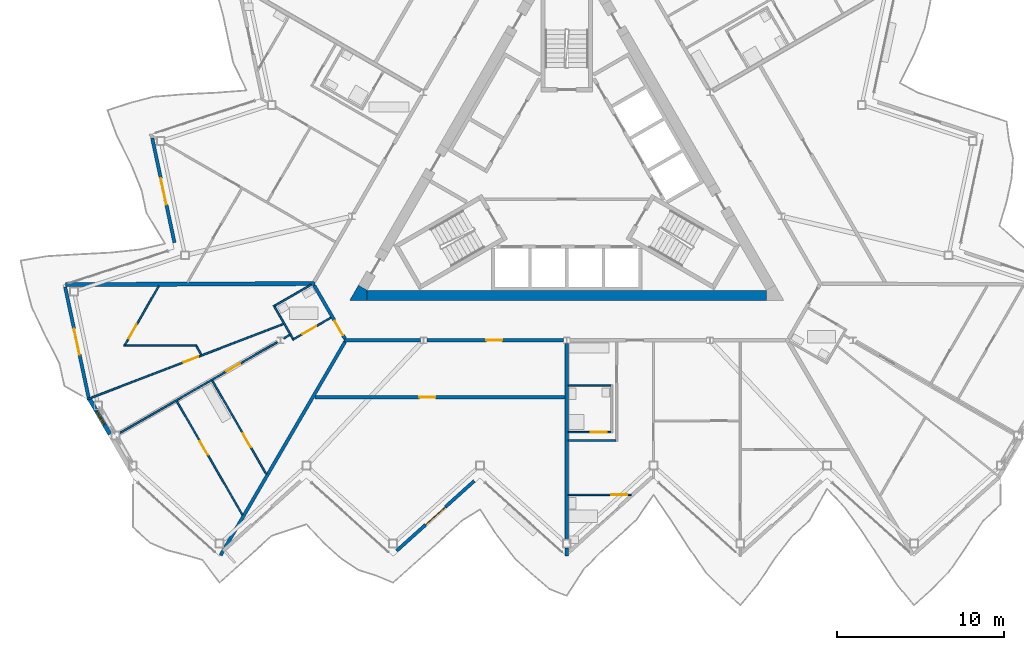
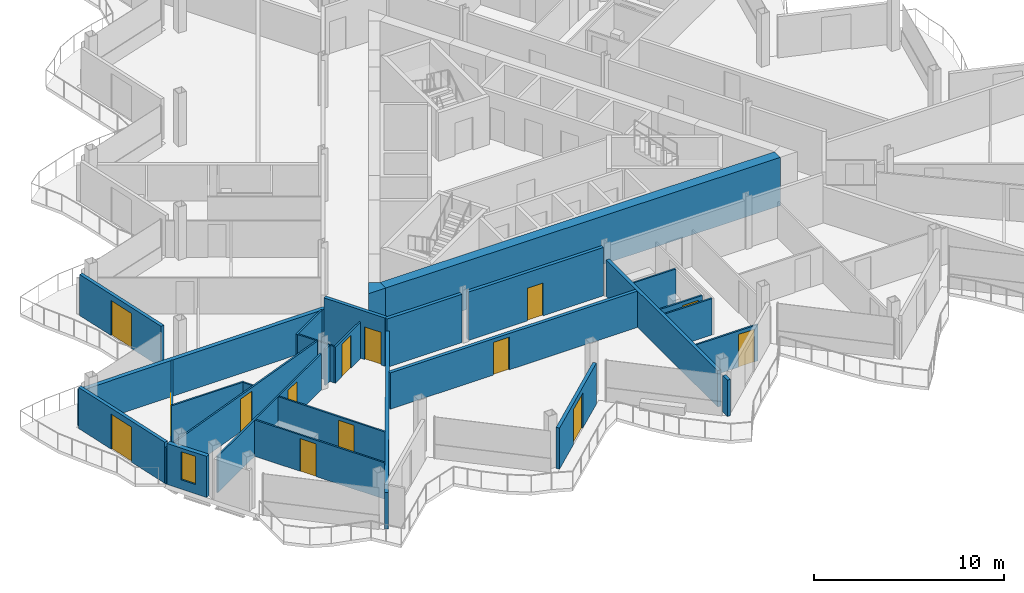
# One storey, part 12 of 26: 29 walls, 14 doors, 1 window, 15 openings.
"""IFC4 building model written with IfcOpenShell, lengths in metres."""

import ifcopenshell
import ifcopenshell.guid

model = None  # the IFC model being written
_history = None  # IfcOwnerHistory: only IFC2X3 demands one
_inside = {}  # id of a spatial element -> (the spatial element, [elements in it])
_under = {}  # id of a project, library or spatial element -> (it, [spatial elements below it])
_declared = {}  # id of a project -> (the project, [libraries it declares])
_typed = {}  # id of a type object -> (the type object, [elements of that type])
_made_of = {}  # id of a material, layer set ... -> (it, [elements and type objects made of it])


def new_model(schema):
    """Start an empty IFC model of exactly this schema.

    Asked for "IFC4X3", IfcOpenShell would pick the latest addendum, in which some entities
    have other attributes; the version numbers below select the first issue.
    IFC2X3 requires an IfcOwnerHistory on every rooted entity: one is made here for all.
    """
    global model, _history
    if schema == "IFC4X3":
        model = ifcopenshell.file(schema_version=(4, 3, 0, 0))
    else:
        model = ifcopenshell.file(schema=schema)
    _inside.clear()
    _under.clear()
    _declared.clear()
    _typed.clear()
    _made_of.clear()
    _history = None
    if model.schema == "IFC2X3":
        org = make("IfcOrganization", Name="unknown")
        user = make(
            "IfcPersonAndOrganization",
            ThePerson=make("IfcPerson", FamilyName="unknown"),
            TheOrganization=org,
        )
        app = make(
            "IfcApplication",
            ApplicationDeveloper=org,
            Version="unknown",
            ApplicationFullName="unknown",
            ApplicationIdentifier="unknown",
        )
        _history = make(
            "IfcOwnerHistory",
            OwningUser=user,
            OwningApplication=app,
            ChangeAction="ADDED",
            CreationDate=0,
        )
    return model


def make(cls, **values):
    """One entity of the class cls with the attributes given. An attribute that is None is left unset."""
    return model.create_entity(
        cls, **{name: value for name, value in values.items() if value is not None}
    )


def rooted(cls, **values):
    """An entity with a GlobalId (a new one), such as an element, a storey or a relation."""
    return make(cls, GlobalId=ifcopenshell.guid.new(), OwnerHistory=_history, **values)


def si_unit(unit_type, name, prefix=None):
    """IfcSIUnit, for example si_unit("LENGTHUNIT", "METRE", prefix="MILLI")."""
    return make("IfcSIUnit", UnitType=unit_type, Prefix=prefix, Name=name)


def assignment(units):
    """IfcUnitAssignment: the units of a project."""
    return None if units is None else make("IfcUnitAssignment", Units=units)


def point(xyz):
    """IfcCartesianPoint."""
    return None if xyz is None else make("IfcCartesianPoint", Coordinates=xyz)


def direction(xyz):
    """IfcDirection."""
    return None if xyz is None else make("IfcDirection", DirectionRatios=xyz)


def frame(location, z_axis=None, x_axis=None):
    """IfcAxis2Placement3D, a coordinate frame: its origin and axes. An axis left out is left unset."""
    return make(
        "IfcAxis2Placement3D",
        Location=point(location),
        Axis=direction(z_axis),
        RefDirection=direction(x_axis),
    )


def frame_2d(location, x_axis=None):
    """IfcAxis2Placement2D, a coordinate frame in the plane: its origin and x axis."""
    return make(
        "IfcAxis2Placement2D", Location=point(location), RefDirection=direction(x_axis)
    )


def origin():
    """The frame at (0, 0, 0) with its axes left unset."""
    return frame((0.0, 0.0, 0.0))


def place(relative_to, where):
    """IfcLocalPlacement: puts the frame where relative to a parent placement (None: the world)."""
    return make(
        "IfcLocalPlacement", PlacementRelTo=relative_to, RelativePlacement=where
    )


def context(
    kind, dimensions, precision=None, world=None, true_north=None, identifier=None
):
    """IfcGeometricRepresentationContext, for example the 3D "Model" context."""
    return make(
        "IfcGeometricRepresentationContext",
        ContextIdentifier=identifier,
        ContextType=kind,
        CoordinateSpaceDimension=dimensions,
        Precision=precision,
        WorldCoordinateSystem=world,
        TrueNorth=true_north,
    )


def subcontext(parent, identifier, kind, view, scale=None):
    """IfcGeometricRepresentationSubContext, for example "Body" below "Model"."""
    return make(
        "IfcGeometricRepresentationSubContext",
        ContextIdentifier=identifier,
        ContextType=kind,
        ParentContext=parent,
        TargetScale=scale,
        TargetView=view,
    )


def project(units=None, contexts=None):
    """IfcProject with its units and contexts."""
    return rooted(
        "IfcProject",
        Name="project",
        RepresentationContexts=contexts,
        UnitsInContext=assignment(units),
    )


def spatial(cls, under=None, at=None, **own):
    """A site, building, storey or space (cls), placed at a placement, below another one or the project."""
    s = rooted(cls, ObjectPlacement=at, **own)
    if under is not None:
        _under.setdefault(under.id(), (under, []))[1].append(s)
    return s


def polyline(points):
    """IfcPolyline through the points."""
    return make("IfcPolyline", Points=[point(p) for p in points])


def profile(cls, at=None, kind="AREA", **sizes):
    """A parametric profile (cls). Its sizes go by their IFC names, for example OverallWidth=200.0."""
    return make(cls, ProfileType=kind, Position=at, **sizes)


def rectangle(**sizes):
    """IfcRectangleProfileDef."""
    return profile("IfcRectangleProfileDef", **sizes)


def outline(outer, holes=None, kind="AREA"):
    """IfcArbitraryClosedProfileDef: a profile drawn as a closed curve; with holes, ...WithVoids."""
    if holes is None:
        return make("IfcArbitraryClosedProfileDef", ProfileType=kind, OuterCurve=outer)
    return make(
        "IfcArbitraryProfileDefWithVoids",
        ProfileType=kind,
        OuterCurve=outer,
        InnerCurves=holes,
    )


def extrude(swept, where, along, depth):
    """IfcExtrudedAreaSolid: the profile swept, set in the frame where, extruded along a direction by depth."""
    return make(
        "IfcExtrudedAreaSolid",
        SweptArea=swept,
        Position=where,
        ExtrudedDirection=direction(along),
        Depth=depth,
    )


def shape(context_of_items, identifier, shape_type, items):
    """IfcShapeRepresentation: the items that make up one representation, for example the "Body"."""
    return make(
        "IfcShapeRepresentation",
        ContextOfItems=context_of_items,
        RepresentationIdentifier=identifier,
        RepresentationType=shape_type,
        Items=items,
    )


def material(Name=None, Category=None):
    """IfcMaterial."""
    return make("IfcMaterial", Name=Name, Category=Category)


def layer(
    of_material, thickness, ventilated=None, Name=None, Category=None, Priority=None
):
    """IfcMaterialLayer: one layer of a wall or slab, of a material (None: an air gap)."""
    return make(
        "IfcMaterialLayer",
        Material=of_material,
        LayerThickness=thickness,
        IsVentilated=ventilated,
        Name=Name,
        Category=Category,
        Priority=Priority,
    )


def layer_set(layers, Name=None):
    """IfcMaterialLayerSet."""
    return make("IfcMaterialLayerSet", MaterialLayers=layers, LayerSetName=Name)


def made_of(thing, what):
    """Note that an element or type object is made of a material, layer set ...; save() writes the relation."""
    if what is not None:
        _made_of.setdefault(what.id(), (what, []))[1].append(thing)
    return thing


def type_object(cls, material=None, **own):
    """A type object (cls), such as IfcWallType, which elements share."""
    return made_of(rooted(cls, **own), material)


def element(
    cls,
    number,
    at=None,
    inside=None,
    cuts=None,
    type_object=None,
    material=None,
    context=None,
    identifier="Body",
    shape_type=None,
    held_by="IfcProductDefinitionShape",
    body=None,
    shapes=None,
    **own,
):
    """One element of the class cls, such as IfcWall. Its Tag is "e" and its number.

    at: its placement. inside: the storey or other place that contains it. cuts: it is an
    opening in that element (IfcRelVoidsElement). A single representation is given by context,
    identifier, shape_type and body (its items); several are given by shapes. held_by: the class
    of the entity that holds the representations. save() writes the other relations.
    """
    e = rooted(cls, Tag="e%d" % number, ObjectPlacement=at, **own)
    if body is not None:
        shapes = [shape(context, identifier, shape_type, body)]
    if shapes is not None:
        e.Representation = make(held_by, Representations=shapes)
    if inside is not None:
        _inside.setdefault(inside.id(), (inside, []))[1].append(e)
    if cuts is not None:
        rooted(
            "IfcRelVoidsElement", RelatingBuildingElement=cuts, RelatedOpeningElement=e
        )
    if type_object is not None:
        _typed.setdefault(type_object.id(), (type_object, []))[1].append(e)
    return made_of(e, material)


def fill(opening, filler):
    """IfcRelFillsElement: the door or window that sits in an opening."""
    return rooted(
        "IfcRelFillsElement",
        RelatingOpeningElement=opening,
        RelatedBuildingElement=filler,
    )


def aggregate(whole, parts):
    """IfcRelAggregates: a whole, such as a stair, and the parts it consists of."""
    return rooted("IfcRelAggregates", RelatingObject=whole, RelatedObjects=parts)


def save(model, path):
    """Write the relations noted so far, then the file.

    IfcRelAggregates (storeys below a building ...), IfcRelContainedInSpatialStructure (elements
    in a storey), IfcRelDefinesByType, IfcRelAssociatesMaterial and IfcRelDeclares: one each for
    every whole, place, type object, material and project.
    """
    for whole, parts in _under.values():
        aggregate(whole, parts)
    for where, things in _inside.values():
        rooted(
            "IfcRelContainedInSpatialStructure",
            RelatedElements=things,
            RelatingStructure=where,
        )
    for kind, things in _typed.values():
        rooted("IfcRelDefinesByType", RelatedObjects=things, RelatingType=kind)
    for what, things in _made_of.values():
        rooted("IfcRelAssociatesMaterial", RelatedObjects=things, RelatingMaterial=what)
    for by, libraries in _declared.values():
        rooted("IfcRelDeclares", RelatingContext=by, RelatedDefinitions=libraries)
    model.write(path)


model = new_model("IFC4")

# Units and contexts
model_context = context("Model", 3, precision=1e-05, world=origin(), true_north=direction((0.0, 1.0)))
body_context = subcontext(model_context, "Body", "Model", "MODEL_VIEW")
ifc_project = project(units=[si_unit("LENGTHUNIT", "METRE"), si_unit("AREAUNIT", "SQUARE_METRE"), si_unit("VOLUMEUNIT", "CUBIC_METRE"), si_unit("PLANEANGLEUNIT", "RADIAN"), si_unit("MASSUNIT", "GRAM", prefix="KILO")], contexts=[model_context])

# Site, building, storey
site_placement = place(None, origin())
site = spatial("IfcSite", under=ifc_project, at=site_placement, CompositionType="ELEMENT")
building_placement = place(site_placement, origin())
building = spatial("IfcBuilding", under=site, at=building_placement, Name="Cormorant Prow Tower", CompositionType="ELEMENT")
storey_placement = place(building_placement, frame((0.0, 0.0, 367.800048828125)))
storey = spatial("IfcBuildingStorey", under=building, at=storey_placement, Name="L82", CompositionType="ELEMENT", Elevation=367.800048828125)

# Walls
ifc_material_1 = material(Name="Concrete 8000 psi", Category="concrete")
ifc_layer_1 = layer(ifc_material_1, 0.60009765625)
ifc_layer_set_1 = layer_set([ifc_layer_1], Name="Concrete 8000 psi")
wall_type_1 = type_object("IfcWallType", Name="Core shear wall 600", PredefinedType="SHEAR", material=ifc_layer_set_1)
wall_1_placement = place(storey_placement, frame((-11.960693359375, -7.20556640625, 0.0), z_axis=(0.0, 0.0, 1.0), x_axis=(1.0, 0.0, 0.0)))
element("IfcWall", 1, at=wall_1_placement, inside=storey, type_object=wall_type_1, Name="Core wall", PredefinedType="SHEAR", context=body_context, shape_type="SweptSolid", body=[
    extrude(rectangle(XDim=23.92138671875, YDim=0.60009765625, at=frame_2d((11.960693359375, 0.0))), origin(), (0.0, 0.0, 1.0), 3.099853515625),
])
wall_2_placement = place(storey_placement, origin())
element("IfcWall", 2, at=wall_2_placement, inside=storey, type_object=wall_type_1, Name="Core wall corner", PredefinedType="SHEAR", context=body_context, shape_type="SweptSolid", body=[
    extrude(outline(polyline([(-12.48046875, -6.605712890625), (-11.960693359375, -6.905517578125), (-11.960693359375, -7.505615234375), (-13.0, -7.505615234375), (-12.48046875, -6.605712890625)])), origin(), (0.0, 0.0, 1.0), 3.099853515625),
])

# Wall, opening, door
ifc_material_2 = material(Name="Gypsum board corridor wall")
ifc_layer_2 = layer(ifc_material_2, 0.199951171875)
ifc_layer_set_2 = layer_set([ifc_layer_2], Name="Gypsum board corridor wall")
wall_type_2 = type_object("IfcWallType", Name="Corridor wall 200", PredefinedType="PARTITIONING", material=ifc_layer_set_2)
wall_3_placement = place(storey_placement, frame((-8.381591796875, -9.905517578125, 0.0), z_axis=(0.0, 0.0, 1.0), x_axis=(1.0, 0.0, 0.0)))
wall_3 = element("IfcWall", 3, at=wall_3_placement, inside=storey, type_object=wall_type_2, Name="Corridor wall", PredefinedType="PARTITIONING", context=body_context, shape_type="SweptSolid", body=[
    extrude(rectangle(XDim=8.1845703125, YDim=0.199951171875, at=frame_2d((4.09228515625, 0.0))), origin(), (0.0, 0.0, 1.0), 3.099853515625),
])
opening_1_placement = place(wall_3_placement, frame((3.56689453125, 0.0, 0.0)))
opening_1 = element("IfcOpeningElement", 4, at=opening_1_placement, cuts=wall_3, Name="Opening L82-F01", PredefinedType="OPENING", context=body_context, shape_type="SweptSolid", body=[
    extrude(rectangle(XDim=0.949951171875, YDim=2.10009765625, at=frame_2d((0.47509765625, 1.050048828125))), frame((0.0, 0.10986328125, 0.0), z_axis=(0.0, -1.0, 0.0), x_axis=(1.0, 0.0, 0.0)), (0.0, 0.0, 1.0), 0.219970703125),
])
ifc_material_3 = material(Name="Timber door leaf", Category="wood")
door_type_1 = type_object("IfcDoorType", Name="Store door 950x2100", OperationType="NOTDEFINED", PredefinedType="DOOR", material=ifc_material_3)
door_1_placement = place(opening_1_placement, origin())
door_1 = element("IfcDoor", 5, at=door_1_placement, inside=storey, type_object=door_type_1, Name="Refuse room door", OperationType="SINGLE_SWING_LEFT", OverallHeight=2.10009765625, OverallWidth=0.949951171875, PredefinedType="DOOR", context=body_context, shape_type="SweptSolid", body=[
    extrude(rectangle(XDim=0.949951171875, YDim=2.10009765625, at=frame_2d((0.47509765625, 1.050048828125))), frame((0.0, 0.02490234375, 0.0), z_axis=(0.0, -1.0, 0.0), x_axis=(1.0, 0.0, 0.0)), (0.0, 0.0, 1.0), 0.050048828125),
])
fill(opening_1, door_1)

# Wall
wall_4_placement = place(storey_placement, frame((-13.330810546875, -9.905517578125, 0.0), z_axis=(0.0, 0.0, 1.0), x_axis=(1.0, 0.0, 0.0)))
element("IfcWall", 6, at=wall_4_placement, inside=storey, type_object=wall_type_2, Name="Corridor wall", PredefinedType="PARTITIONING", context=body_context, shape_type="SweptSolid", body=[
    extrude(rectangle(XDim=4.555419921875, YDim=0.199951171875, at=frame_2d((2.27783203125, 0.0))), origin(), (0.0, 0.0, 1.0), 3.099853515625),
])

# Wall, opening, door
wall_5_placement = place(storey_placement, frame((-15.13134765625, -6.61376953125, 0.0), z_axis=(0.0, 0.0, 1.0), x_axis=(0.499948957823, -0.866054870994, 0.0)))
wall_5 = element("IfcWall", 7, at=wall_5_placement, inside=storey, type_object=wall_type_2, Name="Corridor wall", PredefinedType="PARTITIONING", context=body_context, shape_type="SweptSolid", body=[
    extrude(rectangle(XDim=3.701171875, YDim=0.199951171875, at=frame_2d((1.8505859375, 0.0))), origin(), (0.0, 0.0, 1.0), 3.099853515625),
])
opening_2_placement = place(wall_5_placement, frame((2.450927734375, 0.0, 0.0)))
opening_2 = element("IfcOpeningElement", 8, at=opening_2_placement, cuts=wall_5, Name="Opening L82-F45", PredefinedType="OPENING", context=body_context, shape_type="SweptSolid", body=[
    extrude(rectangle(XDim=1.0, YDim=2.10009765625, at=frame_2d((0.5, 1.050048828125))), frame((0.0, 0.10986328125, 0.0), z_axis=(0.0, -1.0, 0.0), x_axis=(1.0, 0.0, 0.0)), (0.0, 0.0, 1.0), 0.219970703125),
])
ifc_material_4 = material(Name="Timber door leaf", Category="wood")
door_type_2 = type_object("IfcDoorType", Name="Flat or room entrance door 1000x2100", OperationType="NOTDEFINED", PredefinedType="DOOR", material=ifc_material_4)
door_2_placement = place(opening_2_placement, origin())
door_2 = element("IfcDoor", 9, at=door_2_placement, inside=storey, type_object=door_type_2, Name="Living room door", OperationType="SINGLE_SWING_RIGHT", OverallHeight=2.10009765625, OverallWidth=1.0, PredefinedType="DOOR", context=body_context, shape_type="SweptSolid", body=[
    extrude(rectangle(XDim=1.0, YDim=2.10009765625, at=frame_2d((0.5, 1.050048828125))), frame((0.0, 0.02490234375, 0.0), z_axis=(0.0, -1.0, 0.0), x_axis=(1.0, 0.0, 0.0)), (0.0, 0.0, 1.0), 0.050048828125),
])
fill(opening_2, door_2)

ifc_material_5 = material(Name="Gypsum board demising wall")
ifc_layer_3 = layer(ifc_material_5, 0.199951171875)
ifc_layer_set_3 = layer_set([ifc_layer_3], Name="Gypsum board demising wall")
wall_type_3 = type_object("IfcWallType", Name="Demising wall 200", PredefinedType="PARTITIONING", material=ifc_layer_set_3)
wall_6_placement = place(storey_placement, frame((-15.093994140625, -13.3056640625, 0.0), z_axis=(0.0, 0.0, 1.0), x_axis=(1.0, 0.0, 0.0)))
wall_6 = element("IfcWall", 10, at=wall_6_placement, inside=storey, type_object=wall_type_3, Name="Demising wall", PredefinedType="PARTITIONING", context=body_context, shape_type="SweptSolid", body=[
    extrude(rectangle(XDim=14.993896484375, YDim=0.199951171875, at=frame_2d((7.4970703125, 0.0))), origin(), (0.0, 0.0, 1.0), 2.330078125),
])
opening_3_placement = place(wall_6_placement, frame((6.26953125, 0.0, 0.0)))
opening_3 = element("IfcOpeningElement", 11, at=opening_3_placement, cuts=wall_6, Name="Opening L82-F02", PredefinedType="OPENING", context=body_context, shape_type="SweptSolid", body=[
    extrude(rectangle(XDim=0.949951171875, YDim=2.10009765625, at=frame_2d((0.47509765625, 1.050048828125))), frame((0.0, 0.10986328125, 0.0), z_axis=(0.0, -1.0, 0.0), x_axis=(1.0, 0.0, 0.0)), (0.0, 0.0, 1.0), 0.219970703125),
])
door_3_placement = place(opening_3_placement, origin())
door_3 = element("IfcDoor", 12, at=door_3_placement, inside=storey, type_object=door_type_1, Name="Bicycle store door", OperationType="SINGLE_SWING_LEFT", OverallHeight=2.10009765625, OverallWidth=0.949951171875, PredefinedType="DOOR", context=body_context, shape_type="SweptSolid", body=[
    extrude(rectangle(XDim=0.949951171875, YDim=2.10009765625, at=frame_2d((0.47509765625, 1.050048828125))), frame((0.0, 0.02490234375, 0.0), z_axis=(0.0, -1.0, 0.0), x_axis=(1.0, 0.0, 0.0)), (0.0, 0.0, 1.0), 0.050048828125),
])
fill(opening_3, door_3)

# Walls
wall_7_placement = place(storey_placement, frame((-20.738525390625, -22.7841796875, 0.0), z_axis=(0.0, 0.0, 1.0), x_axis=(0.50362599185, 0.863921790635, 0.0)))
element("IfcWall", 13, at=wall_7_placement, inside=storey, type_object=wall_type_3, Name="Demising wall", PredefinedType="PARTITIONING", context=body_context, shape_type="SweptSolid", body=[
    extrude(rectangle(XDim=14.80712890625, YDim=0.199951171875, at=frame_2d((7.403564453125, 0.0))), origin(), (0.0, 0.0, 1.0), 2.330078125),
])
wall_8_placement = place(storey_placement, frame((0.0, -21.827880859375, 0.0), z_axis=(0.0, 0.0, 1.0), x_axis=(0.0, 1.0, 0.0)))
element("IfcWall", 14, at=wall_8_placement, inside=storey, type_object=wall_type_3, Name="Demising wall", PredefinedType="PARTITIONING", context=body_context, shape_type="SweptSolid", body=[
    extrude(rectangle(XDim=11.725341796875, YDim=0.199951171875, at=frame_2d((5.86279296875, 0.0))), origin(), (0.0, 0.0, 1.0), 2.330078125),
])
wall_9_placement = place(storey_placement, frame((0.0, -22.83935546875, 0.0), z_axis=(0.0, 0.0, 1.0), x_axis=(0.0, 1.0, 0.0)))
element("IfcWall", 15, at=wall_9_placement, inside=storey, type_object=wall_type_3, Name="Demising wall", PredefinedType="PARTITIONING", context=body_context, shape_type="SweptSolid", body=[
    extrude(rectangle(XDim=0.491455078125, YDim=0.199951171875, at=frame_2d((0.24560546875, 0.0))), origin(), (0.0, 0.0, 1.0), 2.330078125),
])

# Wall, opening, door
ifc_material_6 = material(Name="Gypsum board partition")
ifc_layer_4 = layer(ifc_material_6, 0.10009765625)
ifc_layer_set_4 = layer_set([ifc_layer_4], Name="Gypsum board partition")
wall_type_4 = type_object("IfcWallType", Name="Internal partition 100", PredefinedType="PARTITIONING", material=ifc_layer_set_4)
wall_10_placement = place(storey_placement, frame((-28.724609375, -13.43798828125, 0.0), z_axis=(0.0, 0.0, 1.0), x_axis=(0.933580312145, 0.358368247444, 0.0)))
wall_10 = element("IfcWall", 16, at=wall_10_placement, inside=storey, type_object=wall_type_4, Name="Internal partition", PredefinedType="PARTITIONING", context=body_context, shape_type="SweptSolid", body=[
    extrude(rectangle(XDim=12.589599609375, YDim=0.10009765625, at=frame_2d((6.294921875, 0.0))), origin(), (0.0, 0.0, 1.0), 2.330078125),
])
opening_4_placement = place(wall_10_placement, frame((6.171142578125, 0.0, 0.0)))
opening_4 = element("IfcOpeningElement", 17, at=opening_4_placement, cuts=wall_10, Name="Opening L82-F50", PredefinedType="OPENING", context=body_context, shape_type="SweptSolid", body=[
    extrude(rectangle(XDim=0.949951171875, YDim=2.10009765625, at=frame_2d((0.47509765625, 1.050048828125))), frame((0.0, 0.06005859375, 0.0), z_axis=(0.0, -1.0, 0.0), x_axis=(1.0, 0.0, 0.0)), (0.0, 0.0, 1.0), 0.1201171875),
])
ifc_material_7 = material(Name="Timber door leaf", Category="wood")
door_type_3 = type_object("IfcDoorType", Name="Bathroom door 950x2100", OperationType="NOTDEFINED", PredefinedType="DOOR", material=ifc_material_7)
door_4_placement = place(opening_4_placement, origin())
door_4 = element("IfcDoor", 18, at=door_4_placement, inside=storey, type_object=door_type_3, Name="Bedroom door", OperationType="SINGLE_SWING_RIGHT", OverallHeight=2.10009765625, OverallWidth=0.949951171875, PredefinedType="DOOR", context=body_context, shape_type="SweptSolid", body=[
    extrude(rectangle(XDim=0.949951171875, YDim=2.10009765625, at=frame_2d((0.47509765625, 1.050048828125))), frame((0.0, 0.02490234375, 0.0), z_axis=(0.0, -1.0, 0.0), x_axis=(1.0, 0.0, 0.0)), (0.0, 0.0, 1.0), 0.050048828125),
])
fill(opening_4, door_4)

wall_11_placement = place(storey_placement, frame((-26.77685546875, -15.459716796875, 0.0), z_axis=(0.0, 0.0, 1.0), x_axis=(0.866019680922, 0.500009912158, 0.0)))
wall_11 = element("IfcWall", 19, at=wall_11_placement, inside=storey, type_object=wall_type_4, Name="Internal partition", PredefinedType="PARTITIONING", context=body_context, shape_type="SweptSolid", body=[
    extrude(rectangle(XDim=10.880615234375, YDim=0.10009765625, at=frame_2d((5.4404296875, 0.0))), origin(), (0.0, 0.0, 1.0), 2.330078125),
])
opening_5_placement = place(wall_11_placement, frame((7.373291015625, 0.0, 0.0)))
opening_5 = element("IfcOpeningElement", 20, at=opening_5_placement, cuts=wall_11, Name="Opening L82-F49", PredefinedType="OPENING", context=body_context, shape_type="SweptSolid", body=[
    extrude(rectangle(XDim=0.949951171875, YDim=2.10009765625, at=frame_2d((0.47509765625, 1.050048828125))), frame((0.0, 0.06005859375, 0.0), z_axis=(0.0, -1.0, 0.0), x_axis=(1.0, 0.0, 0.0)), (0.0, 0.0, 1.0), 0.1201171875),
])
door_5_placement = place(opening_5_placement, origin())
door_5 = element("IfcDoor", 21, at=door_5_placement, inside=storey, type_object=door_type_3, Name="Living room door", OperationType="SINGLE_SWING_LEFT", OverallHeight=2.10009765625, OverallWidth=0.949951171875, PredefinedType="DOOR", context=body_context, shape_type="SweptSolid", body=[
    extrude(rectangle(XDim=0.949951171875, YDim=2.10009765625, at=frame_2d((0.47509765625, 1.050048828125))), frame((0.0, 0.02490234375, 0.0), z_axis=(0.0, -1.0, 0.0), x_axis=(1.0, 0.0, 0.0)), (0.0, 0.0, 1.0), 0.050048828125),
])
fill(opening_5, door_5)

wall_12_placement = place(storey_placement, frame((-23.365234375, -13.547607421875, 0.0), z_axis=(0.0, 0.0, 1.0), x_axis=(0.500011483804, -0.866018773506, 0.0)))
wall_12 = element("IfcWall", 22, at=wall_12_placement, inside=storey, type_object=wall_type_4, Name="Internal partition", PredefinedType="PARTITIONING", context=body_context, shape_type="SweptSolid", body=[
    extrude(rectangle(XDim=7.872314453125, YDim=0.10009765625, at=frame_2d((3.93603515625, 0.0))), origin(), (0.0, 0.0, 1.0), 2.330078125),
])
opening_6_placement = place(wall_12_placement, frame((2.7587890625, 0.0, 0.0)))
opening_6 = element("IfcOpeningElement", 23, at=opening_6_placement, cuts=wall_12, Name="Opening L82-F48", PredefinedType="OPENING", context=body_context, shape_type="SweptSolid", body=[
    extrude(rectangle(XDim=0.949951171875, YDim=2.10009765625, at=frame_2d((0.47509765625, 1.050048828125))), frame((0.0, 0.06005859375, 0.0), z_axis=(0.0, -1.0, 0.0), x_axis=(1.0, 0.0, 0.0)), (0.0, 0.0, 1.0), 0.1201171875),
])
door_6_placement = place(opening_6_placement, origin())
door_6 = element("IfcDoor", 24, at=door_6_placement, inside=storey, type_object=door_type_3, Name="Kitchen door", OperationType="SINGLE_SWING_LEFT", OverallHeight=2.10009765625, OverallWidth=0.949951171875, PredefinedType="DOOR", context=body_context, shape_type="SweptSolid", body=[
    extrude(rectangle(XDim=0.949951171875, YDim=2.10009765625, at=frame_2d((0.47509765625, 1.050048828125))), frame((0.0, 0.02490234375, 0.0), z_axis=(0.0, -1.0, 0.0), x_axis=(1.0, 0.0, 0.0)), (0.0, 0.0, 1.0), 0.050048828125),
])
fill(opening_6, door_6)

wall_13_placement = place(storey_placement, frame((-21.2353515625, -12.318115234375, 0.0), z_axis=(0.0, 0.0, 1.0), x_axis=(0.500008973052, -0.866020223129, 0.0)))
wall_13 = element("IfcWall", 25, at=wall_13_placement, inside=storey, type_object=wall_type_4, Name="Internal partition", PredefinedType="PARTITIONING", context=body_context, shape_type="SweptSolid", body=[
    extrude(rectangle(XDim=6.46630859375, YDim=0.10009765625, at=frame_2d((3.233154296875, 0.0))), origin(), (0.0, 0.0, 1.0), 2.330078125),
])
opening_7_placement = place(wall_13_placement, frame((3.6611328125, 0.0, 0.0)))
opening_7 = element("IfcOpeningElement", 26, at=opening_7_placement, cuts=wall_13, Name="Opening L82-F47", PredefinedType="OPENING", context=body_context, shape_type="SweptSolid", body=[
    extrude(rectangle(XDim=0.949951171875, YDim=2.10009765625, at=frame_2d((0.47509765625, 1.050048828125))), frame((0.0, 0.06005859375, 0.0), z_axis=(0.0, -1.0, 0.0), x_axis=(1.0, 0.0, 0.0)), (0.0, 0.0, 1.0), 0.1201171875),
])
door_7_placement = place(opening_7_placement, origin())
door_7 = element("IfcDoor", 27, at=door_7_placement, inside=storey, type_object=door_type_3, Name="Living room door", OperationType="SINGLE_SWING_RIGHT", OverallHeight=2.10009765625, OverallWidth=0.949951171875, PredefinedType="DOOR", context=body_context, shape_type="SweptSolid", body=[
    extrude(rectangle(XDim=0.949951171875, YDim=2.10009765625, at=frame_2d((0.47509765625, 1.050048828125))), frame((0.0, 0.02490234375, 0.0), z_axis=(0.0, -1.0, 0.0), x_axis=(1.0, 0.0, 0.0)), (0.0, 0.0, 1.0), 0.050048828125),
])
fill(opening_7, door_7)

# Wall
wall_14_placement = place(storey_placement, frame((-26.548583984375, -10.2216796875, 0.0), z_axis=(0.0, 0.0, 1.0), x_axis=(1.0, 0.0, 0.0)))
element("IfcWall", 28, at=wall_14_placement, inside=storey, type_object=wall_type_4, Name="Internal partition", PredefinedType="PARTITIONING", context=body_context, shape_type="SweptSolid", body=[
    extrude(rectangle(XDim=4.390869140625, YDim=0.10009765625, at=frame_2d((2.1953125, 0.0))), origin(), (0.0, 0.0, 1.0), 2.330078125),
])

# Wall, opening, door
wall_15_placement = place(storey_placement, frame((-26.4736328125, -10.17822265625, 0.0), z_axis=(0.0, 0.0, 1.0), x_axis=(0.499995835917, 0.866027807905, 0.0)))
wall_15 = element("IfcWall", 29, at=wall_15_placement, inside=storey, type_object=wall_type_4, Name="Internal partition", PredefinedType="PARTITIONING", context=body_context, shape_type="SweptSolid", body=[
    extrude(rectangle(XDim=4.0712890625, YDim=0.10009765625, at=frame_2d((2.03564453125, 0.0))), origin(), (0.0, 0.0, 1.0), 2.330078125),
])
opening_8_placement = place(wall_15_placement, frame((0.45166015625, 0.0, 0.0)))
opening_8 = element("IfcOpeningElement", 30, at=opening_8_placement, cuts=wall_15, Name="Opening L82-F51", PredefinedType="OPENING", context=body_context, shape_type="SweptSolid", body=[
    extrude(rectangle(XDim=0.949951171875, YDim=2.10009765625, at=frame_2d((0.47509765625, 1.050048828125))), frame((0.0, 0.06005859375, 0.0), z_axis=(0.0, -1.0, 0.0), x_axis=(1.0, 0.0, 0.0)), (0.0, 0.0, 1.0), 0.1201171875),
])
door_8_placement = place(opening_8_placement, origin())
door_8 = element("IfcDoor", 31, at=door_8_placement, inside=storey, type_object=door_type_3, Name="Bedroom door", OperationType="SINGLE_SWING_LEFT", OverallHeight=2.10009765625, OverallWidth=0.949951171875, PredefinedType="DOOR", context=body_context, shape_type="SweptSolid", body=[
    extrude(rectangle(XDim=0.949951171875, YDim=2.10009765625, at=frame_2d((0.47509765625, 1.050048828125))), frame((0.0, 0.02490234375, 0.0), z_axis=(0.0, -1.0, 0.0), x_axis=(1.0, 0.0, 0.0)), (0.0, 0.0, 1.0), 0.050048828125),
])
fill(opening_8, door_8)

wall_16_placement = place(storey_placement, frame((0.10009765625, -19.164306640625, 0.0), z_axis=(0.0, 0.0, 1.0), x_axis=(1.0, 0.0, 0.0)))
wall_16 = element("IfcWall", 32, at=wall_16_placement, inside=storey, type_object=wall_type_4, Name="Internal partition", PredefinedType="PARTITIONING", context=body_context, shape_type="SweptSolid", body=[
    extrude(rectangle(XDim=3.75146484375, YDim=0.10009765625, at=frame_2d((1.875732421875, 0.0))), origin(), (0.0, 0.0, 1.0), 2.330078125),
])
opening_9_placement = place(wall_16_placement, frame((2.5791015625, 0.0, 0.0)))
opening_9 = element("IfcOpeningElement", 33, at=opening_9_placement, cuts=wall_16, Name="Opening L82-F04", PredefinedType="OPENING", context=body_context, shape_type="SweptSolid", body=[
    extrude(rectangle(XDim=0.949951171875, YDim=2.10009765625, at=frame_2d((0.47509765625, 1.050048828125))), frame((0.0, 0.06005859375, 0.0), z_axis=(0.0, -1.0, 0.0), x_axis=(1.0, 0.0, 0.0)), (0.0, 0.0, 1.0), 0.1201171875),
])
door_9_placement = place(opening_9_placement, origin())
door_9 = element("IfcDoor", 34, at=door_9_placement, inside=storey, type_object=door_type_3, Name="Living room door", OperationType="SINGLE_SWING_RIGHT", OverallHeight=2.10009765625, OverallWidth=0.949951171875, PredefinedType="DOOR", context=body_context, shape_type="SweptSolid", body=[
    extrude(rectangle(XDim=0.949951171875, YDim=2.10009765625, at=frame_2d((0.47509765625, 1.050048828125))), frame((0.0, 0.02490234375, 0.0), z_axis=(0.0, -1.0, 0.0), x_axis=(1.0, 0.0, 0.0)), (0.0, 0.0, 1.0), 0.050048828125),
])
fill(opening_9, door_9)

# Walls
wall_17_placement = place(storey_placement, frame((0.10009765625, -15.905517578125, 0.0), z_axis=(0.0, 0.0, 1.0), x_axis=(1.0, 0.0, 0.0)))
element("IfcWall", 35, at=wall_17_placement, inside=storey, type_object=wall_type_4, Name="Internal partition", PredefinedType="PARTITIONING", context=body_context, shape_type="SweptSolid", body=[
    extrude(rectangle(XDim=2.849853515625, YDim=0.10009765625, at=frame_2d((1.4248046875, 0.0))), origin(), (0.0, 0.0, 1.0), 2.330078125),
])
wall_18_placement = place(storey_placement, frame((0.10009765625, -12.605712890625, 0.0), z_axis=(0.0, 0.0, 1.0), x_axis=(1.0, 0.0, 0.0)))
element("IfcWall", 36, at=wall_18_placement, inside=storey, type_object=wall_type_4, Name="Internal partition", PredefinedType="PARTITIONING", context=body_context, shape_type="SweptSolid", body=[
    extrude(rectangle(XDim=2.5498046875, YDim=0.10009765625, at=frame_2d((1.27490234375, 0.0))), origin(), (0.0, 0.0, 1.0), 2.330078125),
])

# Wall, opening, door
wall_19_placement = place(storey_placement, frame((0.10009765625, -15.405517578125, 0.0), z_axis=(0.0, 0.0, 1.0), x_axis=(1.0, 0.0, 0.0)))
wall_19 = element("IfcWall", 37, at=wall_19_placement, inside=storey, type_object=wall_type_4, Name="Internal partition", PredefinedType="PARTITIONING", context=body_context, shape_type="SweptSolid", body=[
    extrude(rectangle(XDim=2.5498046875, YDim=0.10009765625, at=frame_2d((1.27490234375, 0.0))), origin(), (0.0, 0.0, 1.0), 2.330078125),
])
opening_10_placement = place(wall_19_placement, frame((1.35009765625, 0.0, 0.0)))
opening_10 = element("IfcOpeningElement", 38, at=opening_10_placement, cuts=wall_19, Name="Opening L82-F10", PredefinedType="OPENING", context=body_context, shape_type="SweptSolid", body=[
    extrude(rectangle(XDim=0.949951171875, YDim=2.10009765625, at=frame_2d((0.47509765625, 1.050048828125))), frame((0.0, 0.06005859375, 0.0), z_axis=(0.0, -1.0, 0.0), x_axis=(1.0, 0.0, 0.0)), (0.0, 0.0, 1.0), 0.1201171875),
])
door_10_placement = place(opening_10_placement, origin())
door_10 = element("IfcDoor", 39, at=door_10_placement, inside=storey, type_object=door_type_3, Name="Kitchen door", OperationType="SINGLE_SWING_RIGHT", OverallHeight=2.10009765625, OverallWidth=0.949951171875, PredefinedType="DOOR", context=body_context, shape_type="SweptSolid", body=[
    extrude(rectangle(XDim=0.949951171875, YDim=2.10009765625, at=frame_2d((0.47509765625, 1.050048828125))), frame((0.0, 0.02490234375, 0.0), z_axis=(0.0, -1.0, 0.0), x_axis=(1.0, 0.0, 0.0)), (0.0, 0.0, 1.0), 0.050048828125),
])
fill(opening_10, door_10)

# Wall
wall_20_placement = place(storey_placement, frame((-17.575439453125, -7.880615234375, 0.0), z_axis=(0.0, 0.0, 1.0), x_axis=(0.866013657776, 0.500020344131, 0.0)))
element("IfcWall", 40, at=wall_20_placement, inside=storey, type_object=wall_type_4, Name="Internal partition", PredefinedType="PARTITIONING", context=body_context, shape_type="SweptSolid", body=[
    extrude(rectangle(XDim=2.625, YDim=0.10009765625, at=frame_2d((1.3125, 0.0))), origin(), (0.0, 0.0, 1.0), 2.330078125),
])

# Wall, opening, door
wall_21_placement = place(storey_placement, frame((-16.425537109375, -9.872314453125, 0.0), z_axis=(0.0, 0.0, 1.0), x_axis=(0.866029095148, 0.499993606316, 0.0)))
wall_21 = element("IfcWall", 41, at=wall_21_placement, inside=storey, type_object=wall_type_4, Name="Internal partition", PredefinedType="PARTITIONING", context=body_context, shape_type="SweptSolid", body=[
    extrude(rectangle(XDim=2.64990234375, YDim=0.10009765625, at=frame_2d((1.324951171875, 0.0))), origin(), (0.0, 0.0, 1.0), 2.330078125),
])
opening_11_placement = place(wall_21_placement, frame((0.686279296875, 0.0, 0.0)))
opening_11 = element("IfcOpeningElement", 42, at=opening_11_placement, cuts=wall_21, Name="Opening L82-F46", PredefinedType="OPENING", context=body_context, shape_type="SweptSolid", body=[
    extrude(rectangle(XDim=0.949951171875, YDim=2.10009765625, at=frame_2d((0.47509765625, 1.050048828125))), frame((0.0, 0.06005859375, 0.0), z_axis=(0.0, -1.0, 0.0), x_axis=(1.0, 0.0, 0.0)), (0.0, 0.0, 1.0), 0.1201171875),
])
door_11_placement = place(opening_11_placement, origin())
door_11 = element("IfcDoor", 43, at=door_11_placement, inside=storey, type_object=door_type_3, Name="Living room door", OperationType="SINGLE_SWING_LEFT", OverallHeight=2.10009765625, OverallWidth=0.949951171875, PredefinedType="DOOR", context=body_context, shape_type="SweptSolid", body=[
    extrude(rectangle(XDim=0.949951171875, YDim=2.10009765625, at=frame_2d((0.47509765625, 1.050048828125))), frame((0.0, 0.02490234375, 0.0), z_axis=(0.0, -1.0, 0.0), x_axis=(1.0, 0.0, 0.0)), (0.0, 0.0, 1.0), 0.050048828125),
])
fill(opening_11, door_11)

# Walls
wall_22_placement = place(storey_placement, frame((-17.507080078125, -7.89892578125, 0.0), z_axis=(0.0, 0.0, 1.0), x_axis=(0.499946605688, -0.86605622881, 0.0)))
element("IfcWall", 44, at=wall_22_placement, inside=storey, type_object=wall_type_4, Name="Internal partition", PredefinedType="PARTITIONING", context=body_context, shape_type="SweptSolid", body=[
    extrude(rectangle(XDim=2.199951171875, YDim=0.10009765625, at=frame_2d((1.10009765625, 0.0))), origin(), (0.0, 0.0, 1.0), 2.330078125),
])
wall_23_placement = place(storey_placement, frame((-22.182861328125, -10.264892578125, 0.0), z_axis=(0.0, 0.0, 1.0), x_axis=(0.500016142392, -0.86601608377, 0.0)))
element("IfcWall", 45, at=wall_23_placement, inside=storey, type_object=wall_type_4, Name="Internal partition", PredefinedType="PARTITIONING", context=body_context, shape_type="SweptSolid", body=[
    extrude(rectangle(XDim=0.57568359375, YDim=0.10009765625, at=frame_2d((0.287841796875, 0.0))), origin(), (0.0, 0.0, 1.0), 2.330078125),
])
wall_24_placement = place(storey_placement, frame((-16.9599609375, -9.791748046875, 0.0), z_axis=(0.0, 0.0, 1.0), x_axis=(0.866137484628, 0.499805820016, 0.0)))
element("IfcWall", 46, at=wall_24_placement, inside=storey, type_object=wall_type_4, Name="Internal partition", PredefinedType="PARTITIONING", context=body_context, shape_type="SweptSolid", body=[
    extrude(rectangle(XDim=0.422607421875, YDim=0.10009765625, at=frame_2d((0.21142578125, 0.0))), origin(), (0.0, 0.0, 1.0), 2.330078125),
])
ifc_material_8 = material(Name="Acoustic gypsum party wall")
ifc_layer_5 = layer(ifc_material_8, 0.25)
ifc_layer_set_5 = layer_set([ifc_layer_5], Name="Acoustic gypsum party wall")
wall_type_5 = type_object("IfcWallType", Name="Suite party wall 250", PredefinedType="PARTITIONING", material=ifc_layer_set_5)
wall_25_placement = place(storey_placement, frame((-30.041259765625, -6.56787109375, 0.0), z_axis=(0.0, 0.0, 1.0), x_axis=(0.999991150877, 0.004206918925, 0.0)))
element("IfcWall", 47, at=wall_25_placement, inside=storey, type_object=wall_type_5, Name="Suite party wall", PredefinedType="PARTITIONING", context=body_context, shape_type="SweptSolid", body=[
    extrude(rectangle(XDim=14.97265625, YDim=0.25, at=frame_2d((7.486328125, 0.0))), origin(), (0.0, 0.0, 1.0), 2.330078125),
])

# Wall, opening, window
ifc_material_9 = material(Name="Terracotta", Category="masonry")
ifc_layer_6 = layer(ifc_material_9, 0.25)
ifc_layer_set_6 = layer_set([ifc_layer_6], Name="Terracotta")
wall_type_6 = type_object("IfcWallType", Name="Terracotta bay wall 250", PredefinedType="SOLIDWALL", material=ifc_layer_set_6)
wall_26_placement = place(storey_placement, frame((-28.5732421875, -13.4501953125, 0.0), z_axis=(0.0, 0.0, 1.0), x_axis=(0.499969057507, -0.866043267704, 0.0)))
wall_26 = element("IfcWall", 48, at=wall_26_placement, inside=storey, type_object=wall_type_6, Name="Terracotta bay wall WSW00", PredefinedType="SOLIDWALL", context=body_context, shape_type="SweptSolid", body=[
    extrude(rectangle(XDim=2.399658203125, YDim=0.25, at=frame_2d((1.19970703125, 0.0))), origin(), (0.0, 0.0, 1.0), 2.6337890625),
])
opening_12_placement = place(wall_26_placement, frame((0.829833984375, 0.0, 0.60009765625)))
opening_12 = element("IfcOpeningElement", 49, at=opening_12_placement, cuts=wall_26, Name="Opening WN9", PredefinedType="OPENING", context=body_context, shape_type="SweptSolid", body=[
    extrude(rectangle(XDim=0.89990234375, YDim=1.800048828125, at=frame_2d((0.449951171875, 0.89990234375))), frame((0.0, 0.135009765625, 0.0), z_axis=(0.0, -1.0, 0.0), x_axis=(1.0, 0.0, 0.0)), (0.0, 0.0, 1.0), 0.27001953125),
])
ifc_material_10 = material(Name="Aluminium 6063-T6", Category="aluminium")
window_type = type_object("IfcWindowType", Name="Corner bay window 900x1800", PartitioningType="SINGLE_PANEL", PredefinedType="WINDOW", material=ifc_material_10)
window_placement = place(opening_12_placement, origin())
window = element("IfcWindow", 50, at=window_placement, inside=storey, type_object=window_type, Name="Corner bay window WSW00", OverallHeight=1.800048828125, OverallWidth=0.89990234375, PartitioningType="SINGLE_PANEL", PredefinedType="WINDOW", context=body_context, shape_type="SweptSolid", body=[
    extrude(rectangle(XDim=0.89990234375, YDim=1.800048828125, at=frame_2d((0.449951171875, 0.89990234375))), frame((0.0, 0.030029296875, 0.0), z_axis=(0.0, -1.0, 0.0), x_axis=(1.0, 0.0, 0.0)), (0.0, 0.0, 1.0), 0.06005859375),
])
fill(opening_12, window)

# Wall, opening, door
ifc_material_11 = material(Name="Terracotta", Category="masonry")
ifc_layer_7 = layer(ifc_material_11, 0.199951171875)
ifc_layer_set_7 = layer_set([ifc_layer_7], Name="Terracotta")
wall_type_7 = type_object("IfcWallType", Name="Terracotta jamb wall 200", PredefinedType="SOLIDWALL", material=ifc_layer_set_7)
wall_27_placement = place(storey_placement, frame((-10.19482421875, -22.520263671875, 0.0), z_axis=(0.0, 0.0, 1.0), x_axis=(0.743137181878, 0.669139095339, 0.0)))
wall_27 = element("IfcWall", 51, at=wall_27_placement, inside=storey, type_object=wall_type_7, Name="Terracotta jamb wall S03", PredefinedType="SOLIDWALL", context=body_context, shape_type="SweptSolid", body=[
    extrude(rectangle(XDim=6.265380859375, YDim=0.199951171875, at=frame_2d((3.1328125, 0.0))), origin(), (0.0, 0.0, 1.0), 2.6337890625),
])
opening_13_placement = place(wall_27_placement, frame((2.332763671875, 0.0, 0.0)))
opening_13 = element("IfcOpeningElement", 52, at=opening_13_placement, cuts=wall_27, Name="Opening ED82.02", PredefinedType="OPENING", context=body_context, shape_type="SweptSolid", body=[
    extrude(rectangle(XDim=1.60009765625, YDim=2.25, at=frame_2d((0.800048828125, 1.125))), frame((0.0, 0.10986328125, 0.0), z_axis=(0.0, -1.0, 0.0), x_axis=(1.0, 0.0, 0.0)), (0.0, 0.0, 1.0), 0.219970703125),
])
ifc_material_12 = material(Name="Aluminium 6063-T6", Category="aluminium")
door_type_4 = type_object("IfcDoorType", Name="Balcony door 1600x2250", OperationType="DOUBLE_DOOR_SINGLE_SWING", PredefinedType="DOOR", material=ifc_material_12)
door_12_placement = place(opening_13_placement, origin())
door_12 = element("IfcDoor", 53, at=door_12_placement, inside=storey, type_object=door_type_4, Name="Balcony door S03 ED82.02", OperationType="DOUBLE_DOOR_SINGLE_SWING", OverallHeight=2.25, OverallWidth=1.60009765625, PredefinedType="DOOR", context=body_context, shape_type="SweptSolid", body=[
    extrude(rectangle(XDim=1.60009765625, YDim=2.25, at=frame_2d((0.800048828125, 1.125))), frame((0.0, 0.02490234375, 0.0), z_axis=(0.0, -1.0, 0.0), x_axis=(1.0, 0.0, 0.0)), (0.0, 0.0, 1.0), 0.050048828125),
])
fill(opening_13, door_12)

wall_28_placement = place(storey_placement, frame((-24.833984375, 2.20947265625, 0.0), z_axis=(0.0, 0.0, 1.0), x_axis=(0.20791668045, -0.978146540142, 0.0)))
wall_28 = element("IfcWall", 54, at=wall_28_placement, inside=storey, type_object=wall_type_7, Name="Terracotta jamb wall WNW07", PredefinedType="SOLIDWALL", context=body_context, shape_type="SweptSolid", body=[
    extrude(rectangle(XDim=6.40185546875, YDim=0.199951171875, at=frame_2d((3.200927734375, 0.0))), origin(), (0.0, 0.0, 1.0), 2.6337890625),
])
opening_14_placement = place(wall_28_placement, frame((2.46923828125, 0.0, 0.0)))
opening_14 = element("IfcOpeningElement", 55, at=opening_14_placement, cuts=wall_28, Name="Opening ED82.14", PredefinedType="OPENING", context=body_context, shape_type="SweptSolid", body=[
    extrude(rectangle(XDim=1.60009765625, YDim=2.25, at=frame_2d((0.800048828125, 1.125))), frame((0.0, 0.10986328125, 0.0), z_axis=(0.0, -1.0, 0.0), x_axis=(1.0, 0.0, 0.0)), (0.0, 0.0, 1.0), 0.219970703125),
])
door_13_placement = place(opening_14_placement, origin())
door_13 = element("IfcDoor", 56, at=door_13_placement, inside=storey, type_object=door_type_4, Name="Balcony door WNW07 ED82.14", OperationType="DOUBLE_DOOR_SINGLE_SWING", OverallHeight=2.25, OverallWidth=1.60009765625, PredefinedType="DOOR", context=body_context, shape_type="SweptSolid", body=[
    extrude(rectangle(XDim=1.60009765625, YDim=2.25, at=frame_2d((0.800048828125, 1.125))), frame((0.0, 0.02490234375, 0.0), z_axis=(0.0, -1.0, 0.0), x_axis=(1.0, 0.0, 0.0)), (0.0, 0.0, 1.0), 0.050048828125),
])
fill(opening_14, door_13)

wall_29_placement = place(storey_placement, frame((-30.052734375, -6.709228515625, 0.0), z_axis=(0.0, 0.0, 1.0), x_axis=(0.207917767315, -0.978146309115, 0.0)))
wall_29 = element("IfcWall", 57, at=wall_29_placement, inside=storey, type_object=wall_type_7, Name="Terracotta jamb wall WNW09", PredefinedType="SOLIDWALL", context=body_context, shape_type="SweptSolid", body=[
    extrude(rectangle(XDim=6.77880859375, YDim=0.199951171875, at=frame_2d((3.389404296875, 0.0))), origin(), (0.0, 0.0, 1.0), 2.6337890625),
])
opening_15_placement = place(wall_29_placement, frame((2.559326171875, 0.0, 0.0)))
opening_15 = element("IfcOpeningElement", 58, at=opening_15_placement, cuts=wall_29, Name="Opening ED82.15", PredefinedType="OPENING", context=body_context, shape_type="SweptSolid", body=[
    extrude(rectangle(XDim=1.60009765625, YDim=2.25, at=frame_2d((0.800048828125, 1.125))), frame((0.0, 0.10986328125, 0.0), z_axis=(0.0, -1.0, 0.0), x_axis=(1.0, 0.0, 0.0)), (0.0, 0.0, 1.0), 0.219970703125),
])
door_14_placement = place(opening_15_placement, origin())
door_14 = element("IfcDoor", 59, at=door_14_placement, inside=storey, type_object=door_type_4, Name="Balcony door WNW09 ED82.15", OperationType="DOUBLE_DOOR_SINGLE_SWING", OverallHeight=2.25, OverallWidth=1.60009765625, PredefinedType="DOOR", context=body_context, shape_type="SweptSolid", body=[
    extrude(rectangle(XDim=1.60009765625, YDim=2.25, at=frame_2d((0.800048828125, 1.125))), frame((0.0, 0.02490234375, 0.0), z_axis=(0.0, -1.0, 0.0), x_axis=(1.0, 0.0, 0.0)), (0.0, 0.0, 1.0), 0.050048828125),
])
fill(opening_15, door_14)

save(model, "model.ifc")
